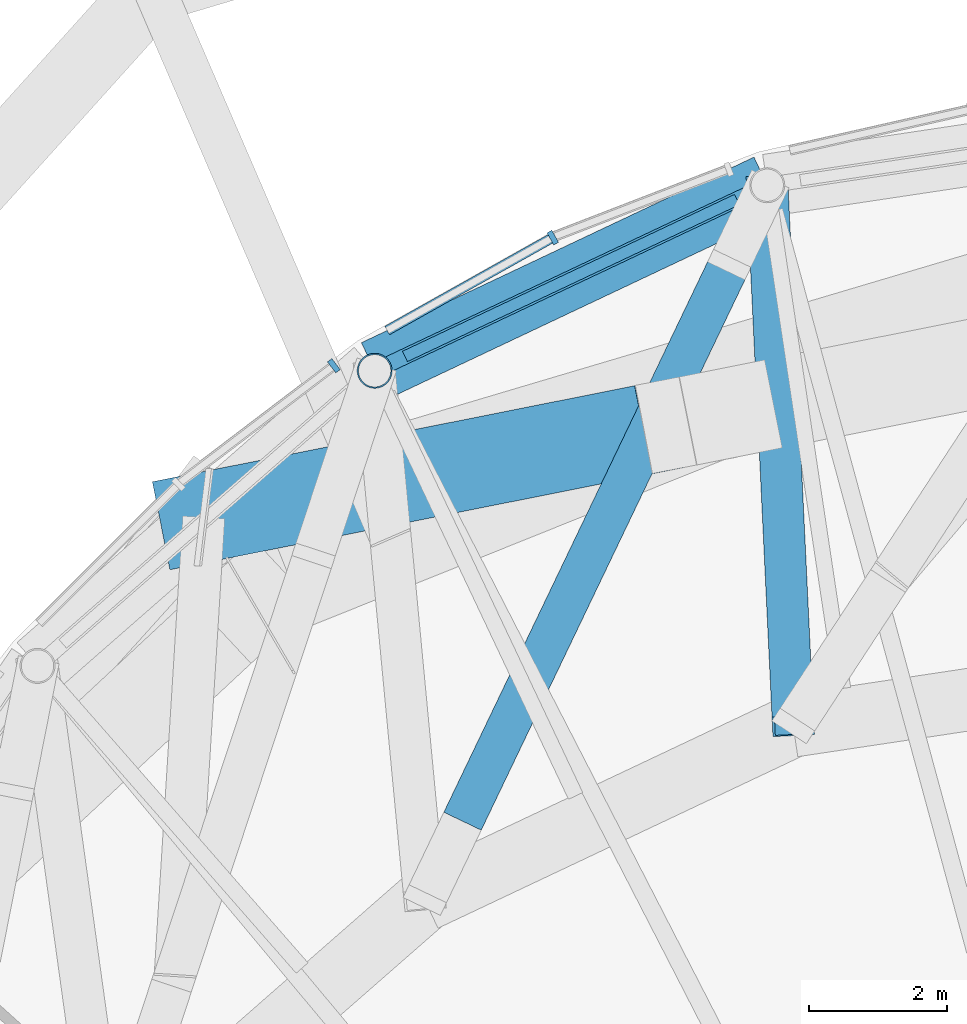
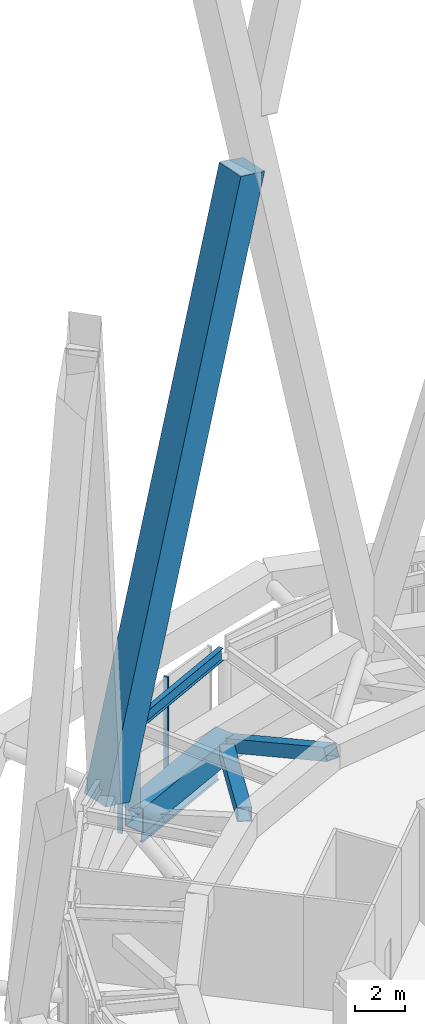
# One storey, part 22 of 48: 5 beams, 5 members, 2 elements without a shape of their own.
"""IFC4 building model written with IfcOpenShell, lengths in metres."""

from ifc_helpers import new_model, si_unit, direction, frame, origin, origin_2d, place, context, subcontext, project, spatial, rectangle, hollow_rectangle, hollow_circle, i_section, extrude, material, layer, layer_set, material_profile, profile_set, type_object, element, aggregate, save


model = new_model("IFC4")

# Units and contexts
model_context = context("Model", 3, precision=1e-05, world=origin(), true_north=direction((0.0, 1.0)))
body_context = subcontext(model_context, "Body", "Model", "MODEL_VIEW")
ifc_project = project(units=[si_unit("LENGTHUNIT", "METRE"), si_unit("AREAUNIT", "SQUARE_METRE"), si_unit("VOLUMEUNIT", "CUBIC_METRE"), si_unit("PLANEANGLEUNIT", "RADIAN"), si_unit("MASSUNIT", "GRAM", prefix="KILO")], contexts=[model_context])

# Site, building, storey
site_placement = place(None, origin())
site = spatial("IfcSite", under=ifc_project, at=site_placement, CompositionType="ELEMENT")
building_placement = place(site_placement, origin())
building = spatial("IfcBuilding", under=site, at=building_placement, Name="Nagisa Residences", CompositionType="ELEMENT")
storey_placement = place(building_placement, frame((0.0, 0.0, 252.89990234375)))
storey = spatial("IfcBuildingStorey", under=building, at=storey_placement, Name="L64", CompositionType="ELEMENT", Elevation=252.89990234375)

# Beams
ifc_material_1 = material(Name="Steel ASTM A572 Gr 50", Category="steel")
ifc_material_profile_1 = material_profile(ifc_material_1, hollow_rectangle(XDim=0.89990234375, YDim=1.199951171875, WallThickness=0.0400390625, at=origin_2d()), Name="BX 900x1200x40")
ifc_profile_set_1 = profile_set([ifc_material_profile_1], Name="Steel ASTM A572 Gr 50")
beam_type_1 = type_object("IfcBeamType", Name="Belt chord 5 BX 900x1200x40", PredefinedType="BEAM", material=ifc_profile_set_1)
beam_1_placement = place(storey_placement, frame((-7.900390625, 29.091552734375, 0.60009765625), z_axis=(-0.904116998377, -0.427284978961, 0.0), x_axis=(0.427284978961, -0.904116998377, 0.0)))
element("IfcBeam", 1, at=beam_1_placement, inside=storey, type_object=beam_type_1, Name="beam:L64:bt5b08", PredefinedType="BEAM", context=body_context, shape_type="SweptSolid", body=[
    extrude(hollow_rectangle(XDim=0.89990234375, YDim=1.199951171875, WallThickness=0.0400390625, at=origin_2d()), origin(), (0.0, 0.0, 1.0), 6.287353515625),
])
ifc_material_2 = material(Name="Steel ASTM A572 Gr 50", Category="steel")
ifc_material_profile_2 = material_profile(ifc_material_2, hollow_rectangle(XDim=0.60009765625, YDim=0.60009765625, WallThickness=0.034912109375, at=origin_2d()), Name="BX 600x600x35")
ifc_profile_set_2 = profile_set([ifc_material_profile_2], Name="Steel ASTM A572 Gr 50")
beam_type_2 = type_object("IfcBeamType", Name="Belt diagonal 5 BX 600x600x35", PredefinedType="BEAM", material=ifc_profile_set_2)
beam_2_placement = place(storey_placement, frame((-7.900390625, 29.091552734375, 0.60009765625), z_axis=(0.042331431638, -0.883231412619, 0.467022827771), x_axis=(0.998853432883, 0.047872952893, 0.0)))
element("IfcBeam", 2, at=beam_2_placement, inside=storey, type_object=beam_type_2, Name="beam:L64:bt5da08", PredefinedType="BEAM", context=body_context, shape_type="SweptSolid", body=[
    extrude(hollow_rectangle(XDim=0.60009765625, YDim=0.60009765625, WallThickness=0.034912109375, at=origin_2d()), origin(), (0.0, 0.0, 1.0), 8.864501953125),
])
beam_3_placement = place(storey_placement, frame((-8.451416015625, 27.94140625, 1.06005859375), z_axis=(-0.406486198046, -0.848317917219, 0.339301756736), x_axis=(0.90181580942, -0.43212063811, 0.0)))
element("IfcBeam", 3, at=beam_3_placement, inside=storey, type_object=beam_type_2, Name="beam:L64:bt5db08", PredefinedType="BEAM", context=body_context, shape_type="SweptSolid", body=[
    extrude(hollow_rectangle(XDim=0.60009765625, YDim=0.60009765625, WallThickness=0.034912109375, at=origin_2d()), origin(), (0.0, 0.0, 1.0), 9.60791015625),
])

# Curtain wall, member
ifc_material_3 = material(Name="Aluminium curtain wall system", Category="aluminium")
ifc_layer = layer(ifc_material_3, 0.159912109375)
ifc_layer_set = layer_set([ifc_layer], Name="CW2 CURTAIN WALL")
curtain_wall_type = type_object("IfcCurtainWallType", Name="CW2 CURTAIN WALL", PredefinedType="NOTDEFINED", material=ifc_layer_set)
curtain_wall_1_placement = place(storey_placement, origin())
curtain_wall_1 = element("IfcCurtainWall", 4, at=curtain_wall_1_placement, inside=storey, type_object=curtain_wall_type, Name="cw:CW2:L64:15", PredefinedType="NOTDEFINED")
ifc_material_4 = material(Name="Aluminium", Category="aluminium")
ifc_material_profile_3 = material_profile(ifc_material_4, rectangle(XDim=0.199951171875, YDim=0.080078125, at=origin_2d()), Name="CW2 MULLION 200x80")
ifc_profile_set_3 = profile_set([ifc_material_profile_3], Name="Aluminium")
member_type_1 = type_object("IfcMemberType", Name="CW2 MULLION 200x80", PredefinedType="MULLION", material=ifc_profile_set_3)
member_1_placement = place(storey_placement, frame((-11.0068359375, 28.33349609375, 0.0), z_axis=(0.0, 0.0, 1.0), x_axis=(0.489376918501, -0.872072377523, 0.0)))
member_1 = element("IfcMember", 5, at=member_1_placement, type_object=member_type_1, Name="CW2 mullion", PredefinedType="MULLION", context=body_context, shape_type="SweptSolid", body=[
    extrude(rectangle(XDim=0.199951171875, YDim=0.080078125, at=origin_2d()), origin(), (0.0, 0.0, 1.0), 5.340087890625),
])

curtain_wall_2_placement = place(storey_placement, origin())
curtain_wall_2 = element("IfcCurtainWall", 6, at=curtain_wall_2_placement, inside=storey, type_object=curtain_wall_type, Name="cw:CW2:L64:16", PredefinedType="NOTDEFINED")
member_2_placement = place(storey_placement, frame((-14.176513671875, 26.477783203125, 0.0), z_axis=(0.0, 0.0, 1.0), x_axis=(0.605255421737, -0.79603132756, 0.0)))
member_2 = element("IfcMember", 7, at=member_2_placement, type_object=member_type_1, Name="CW2 mullion", PredefinedType="MULLION", context=body_context, shape_type="SweptSolid", body=[
    extrude(rectangle(XDim=0.199951171875, YDim=0.080078125, at=origin_2d()), origin(), (0.0, 0.0, 1.0), 5.340087890625),
])
aggregate(curtain_wall_2, [member_2])

# Member
ifc_material_5 = material(Name="Aluminium", Category="aluminium")
ifc_material_profile_4 = material_profile(ifc_material_5, rectangle(XDim=0.139892578125, YDim=0.179931640625, at=origin_2d()), Name="CW2 TRANSOM 140x180")
ifc_profile_set_4 = profile_set([ifc_material_profile_4], Name="Aluminium")
member_type_2 = type_object("IfcMemberType", Name="CW2 TRANSOM 140x180", PredefinedType="USERDEFINED", material=ifc_profile_set_4)
member_3_placement = place(storey_placement, frame((-10.971923828125, 28.35302734375, 0.090087890625), z_axis=(-0.872059187854, -0.489400421821, 0.0), x_axis=(0.489400421821, -0.872059187854, 0.0)))
member_3 = element("IfcMember", 8, at=member_3_placement, type_object=member_type_2, Name="CW2 transom", ObjectType="TRANSOM", PredefinedType="USERDEFINED", context=body_context, shape_type="SweptSolid", body=[
    extrude(rectangle(XDim=0.139892578125, YDim=0.179931640625, at=origin_2d()), origin(), (0.0, 0.0, 1.0), 2.7880859375),
])

aggregate(curtain_wall_1, [member_1, member_3])

ifc_material_6 = material(Name="Concrete C80", Category="concrete")
ifc_material_profile_5 = material_profile(ifc_material_6, rectangle(XDim=1.300048828125, YDim=1.300048828125, at=origin_2d()), Name="C80 1300x1300")
ifc_profile_set_5 = profile_set([ifc_material_profile_5], Name="Concrete C80")
member_type_3 = type_object("IfcMemberType", Name="Cage diagonal 6 C80 1300x1300", PredefinedType="BRACE", material=ifc_profile_set_5)
member_4_placement = place(storey_placement, frame((-16.06005859375, 24.283447265625, 3.7001953125), z_axis=(0.248132245686, 0.049397420003, 0.96746590821), x_axis=(-0.195245626693, 0.980754375599, 0.0)))
element("IfcMember", 9, at=member_4_placement, inside=storey, type_object=member_type_3, Name="mem:L64:cg6d008a", PredefinedType="BRACE", context=body_context, shape_type="SweptSolid", body=[
    extrude(rectangle(XDim=1.300048828125, YDim=1.300048828125, at=origin_2d()), origin(), (0.0, 0.0, 1.0), 28.141845703125),
])

# Beam
ifc_material_7 = material(Name="Steel ASTM A572 Gr 50", Category="steel")
ifc_material_profile_6 = material_profile(ifc_material_7, i_section(OverallWidth=0.22802734375, OverallDepth=0.60302734375, WebThickness=0.010498046875, FlangeThickness=0.014892578125, at=origin_2d()), Name="W610x101")
ifc_profile_set_6 = profile_set([ifc_material_profile_6], Name="Steel ASTM A572 Gr 50")
beam_type_3 = type_object("IfcBeamType", Name="Garden edge beam W610x101", PredefinedType="BEAM", material=ifc_profile_set_6)
beam_4_placement = place(storey_placement, frame((-8.11181640625, 28.991455078125, 5.03857421875), z_axis=(-0.904140628883, -0.427234974227, 0.0), x_axis=(0.427234974227, -0.904140628883, 0.0)))
element("IfcBeam", 10, at=beam_4_placement, inside=storey, type_object=beam_type_3, Name="beam:L64:bt5ge08", PredefinedType="BEAM", context=body_context, shape_type="SweptSolid", body=[
    extrude(i_section(OverallWidth=0.22802734375, OverallDepth=0.60302734375, WebThickness=0.010498046875, FlangeThickness=0.014892578125, at=origin_2d()), origin(), (0.0, 0.0, 1.0), 5.819580078125),
])

# Member
ifc_material_8 = material(Name="Steel ASTM A572 Gr 65", Category="steel")
ifc_material_profile_7 = material_profile(ifc_material_8, hollow_circle(Radius=0.25390625, WallThickness=0.02001953125, at=origin_2d()), Name="CHS 508x20")
ifc_profile_set_7 = profile_set([ifc_material_profile_7], Name="Steel ASTM A572 Gr 65")
member_type_4 = type_object("IfcMemberType", Name="Garden edge post CHS 508x20", PredefinedType="POST", material=ifc_profile_set_7)
member_5_placement = place(storey_placement, frame((-13.5849609375, 26.405029296875, 1.2001953125), z_axis=(0.0, 0.0, 1.0), x_axis=(1.0, 0.0, 0.0)))
element("IfcMember", 11, at=member_5_placement, inside=storey, type_object=member_type_4, Name="mem:L64:gp509", PredefinedType="POST", context=body_context, shape_type="SweptSolid", body=[
    extrude(hollow_circle(Radius=0.25390625, WallThickness=0.02001953125, at=origin_2d()), origin(), (0.0, 0.0, 1.0), 3.536865234375),
])

# Beam
ifc_material_9 = material(Name="Steel ASTM A572 Gr 50", Category="steel")
ifc_material_profile_8 = material_profile(ifc_material_9, i_section(OverallWidth=0.166015625, OverallDepth=0.534912109375, WebThickness=0.01025390625, FlangeThickness=0.0166015625, at=origin_2d()), Name="W530x85")
ifc_profile_set_8 = profile_set([ifc_material_profile_8], Name="Steel ASTM A572 Gr 50")
beam_type_4 = type_object("IfcBeamType", Name="Perimeter ring beam W530x85", PredefinedType="BEAM", material=ifc_profile_set_8)
beam_5_placement = place(storey_placement, frame((-8.339111328125, 28.884033203125, -0.617431640625), z_axis=(-0.904133867308, -0.42724928319, 0.0), x_axis=(0.42724928319, -0.904133867308, 0.0)))
element("IfcBeam", 12, at=beam_5_placement, inside=storey, type_object=beam_type_4, Name="beam:L64:pb08", PredefinedType="BEAM", context=body_context, shape_type="SweptSolid", body=[
    extrude(i_section(OverallWidth=0.166015625, OverallDepth=0.534912109375, WebThickness=0.01025390625, FlangeThickness=0.0166015625, at=origin_2d()), origin(), (0.0, 0.0, 1.0), 5.317138671875),
])

save(model, "model.ifc")
